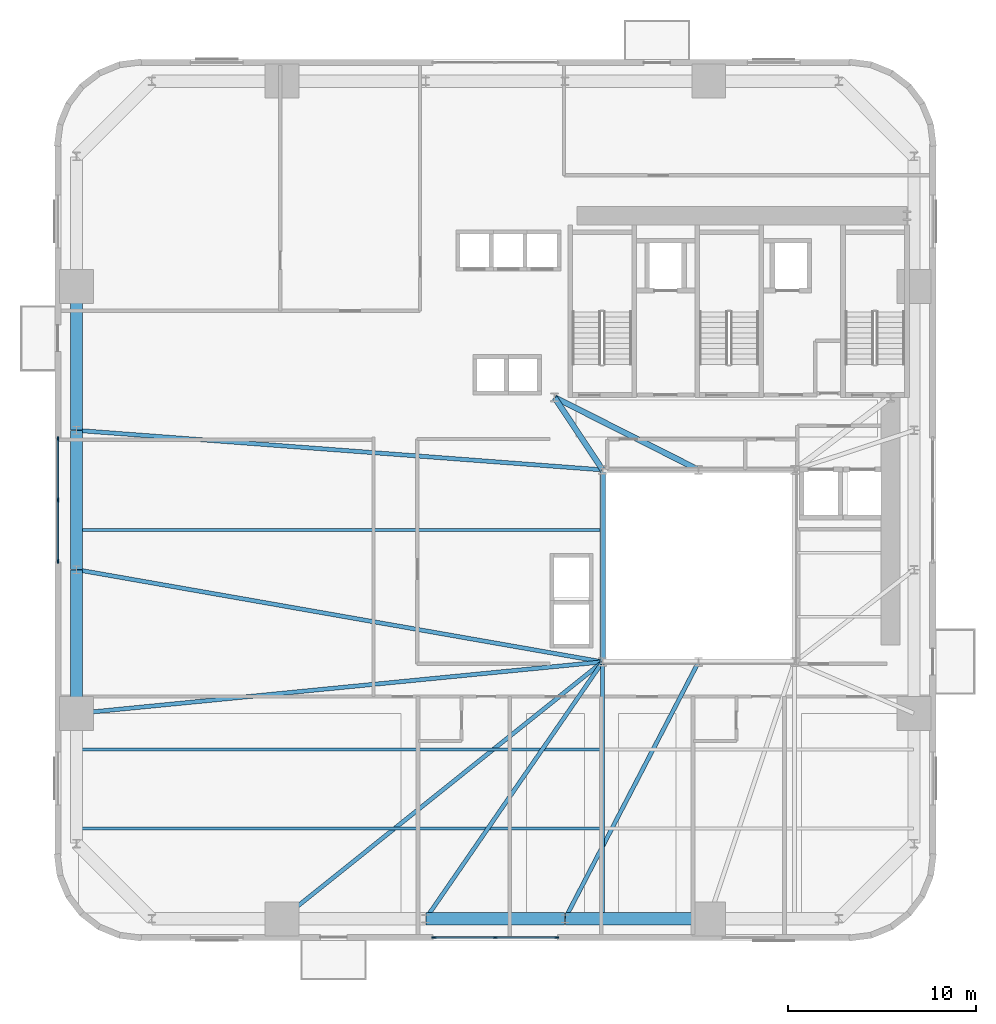
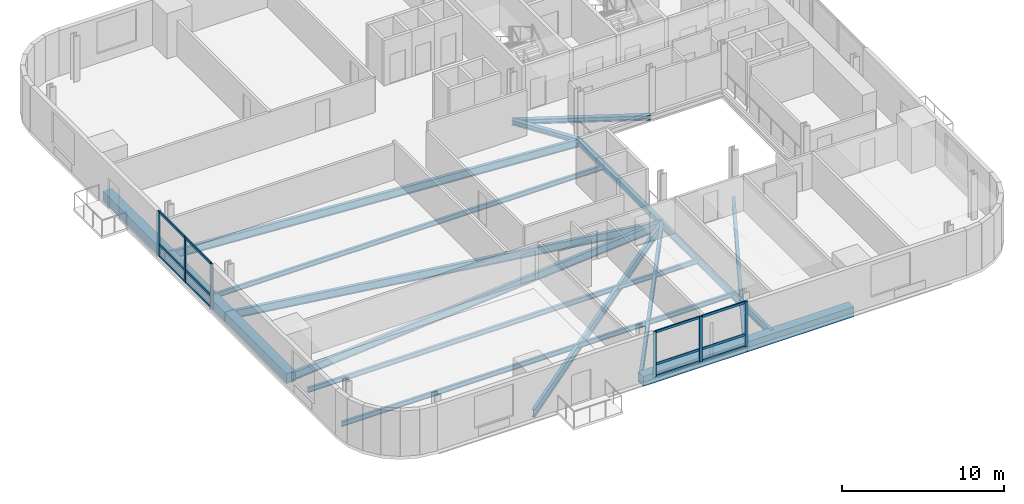
# One storey, part 2 of 13: 18 beams, 18 members, 2 elements without a shape of their own.
"""IFC4 building model written with IfcOpenShell, lengths in metres."""

from ifc_helpers import new_model, si_unit, direction, frame, origin, origin_2d, place, context, subcontext, project, spatial, rectangle, i_section, extrude, source, transform, mapped, material, material_profile, profile_set, type_object, element, aggregate, save


model = new_model("IFC4")

# Units and contexts
model_context = context("Model", 3, precision=1e-05, world=origin(), true_north=direction((0.0, 1.0)))
body_context = subcontext(model_context, "Body", "Model", "MODEL_VIEW")
ifc_project = project(units=[si_unit("LENGTHUNIT", "METRE"), si_unit("AREAUNIT", "SQUARE_METRE"), si_unit("VOLUMEUNIT", "CUBIC_METRE"), si_unit("PLANEANGLEUNIT", "RADIAN"), si_unit("MASSUNIT", "GRAM", prefix="KILO")], contexts=[model_context])

# Site, building, storey
site_placement = place(None, origin())
site = spatial("IfcSite", under=ifc_project, at=site_placement, CompositionType="ELEMENT")
building_placement = place(site_placement, origin())
building = spatial("IfcBuilding", under=site, at=building_placement, Name="Vardaveli Station Tower", CompositionType="ELEMENT")
storey_placement = place(building_placement, frame((0.0, 0.0, 49.5)))
storey = spatial("IfcBuildingStorey", under=building, at=storey_placement, Name="L12", CompositionType="ELEMENT", Elevation=49.5)

# Beams
ifc_material_1 = material(Name="Structural steel S355J2", Category="steel")
ifc_material_profile_1 = material_profile(ifc_material_1, i_section(OverallWidth=0.300048828125, OverallDepth=0.449951171875, WebThickness=0.013916015625, FlangeThickness=0.02587890625, FilletRadius=0.027099609375, at=origin_2d()), Name="HEB 450")
ifc_profile_set_1 = profile_set([ifc_material_profile_1], Name="Structural steel S355J2")
beam_type_1 = type_object("IfcBeamType", Name="BM-HEB450", PredefinedType="BEAM", material=ifc_profile_set_1)
shared_shape_1 = source(origin(), body_context, "Body", "SweptSolid", [
    extrude(i_section(OverallWidth=0.300048828125, OverallDepth=0.449951171875, WebThickness=0.013916015625, FlangeThickness=0.02587890625, FilletRadius=0.027099609375, at=origin_2d()), origin(), (0.0, 0.0, 1.0), 10.159912109375),
])
beam_1_placement = place(storey_placement, frame((31.199951171875, 26.780029296875, -0.465087890625), z_axis=(0.0, -1.0, 0.0), x_axis=(1.0, 0.0, 0.0)))
element("IfcBeam", 1, at=beam_1_placement, inside=storey, type_object=beam_type_1, Name="ABM-L12-06", PredefinedType="BEAM", context=body_context, shape_type="MappedRepresentation", body=[
    mapped(shared_shape_1, transform((0.0, 0.0, 0.0), scale=1.0)),
])
ifc_material_profile_2 = material_profile(ifc_material_1, i_section(OverallWidth=0.300048828125, OverallDepth=0.360107421875, WebThickness=0.012451171875, FlangeThickness=0.0224609375, FilletRadius=0.027099609375, at=origin_2d()), Name="HEB 360")
ifc_profile_set_2 = profile_set([ifc_material_profile_2], Name="Structural steel S355J2")
beam_type_2 = type_object("IfcBeamType", Name="BM-HEB360", PredefinedType="BEAM", material=ifc_profile_set_2)
shared_shape_2 = source(origin(), body_context, "Body", "SweptSolid", [
    extrude(i_section(OverallWidth=0.300048828125, OverallDepth=0.360107421875, WebThickness=0.012451171875, FlangeThickness=0.0224609375, FilletRadius=0.027099609375, at=origin_2d()), origin(), (0.0, 0.0, 1.0), 4.577880859375),
])
beam_2_placement = place(storey_placement, frame((31.18896484375, 26.816650390625, -0.419921875), z_axis=(-0.55218702139, 0.833720272879, 0.0), x_axis=(-0.833720272879, -0.55218702139, 0.0)))
element("IfcBeam", 2, at=beam_2_placement, inside=storey, type_object=beam_type_2, Name="CBM-L12-01", PredefinedType="BEAM", context=body_context, shape_type="MappedRepresentation", body=[
    mapped(shared_shape_2, transform((0.0, 0.0, 0.0), scale=1.0)),
])
shared_shape_3 = source(origin(), body_context, "Body", "SweptSolid", [
    extrude(i_section(OverallWidth=0.300048828125, OverallDepth=0.360107421875, WebThickness=0.012451171875, FlangeThickness=0.0224609375, FilletRadius=0.027099609375, at=origin_2d()), origin(), (0.0, 0.0, 1.0), 8.524169921875),
])
beam_3_placement = place(storey_placement, frame((28.66796875, 30.64111328125, -0.419921875), z_axis=(0.893255584708, -0.449549174605, 0.0), x_axis=(0.449549174605, 0.893255584708, 0.0)))
element("IfcBeam", 3, at=beam_3_placement, inside=storey, type_object=beam_type_2, Name="CBM-L12-03", PredefinedType="BEAM", context=body_context, shape_type="MappedRepresentation", body=[
    mapped(shared_shape_3, transform((0.0, 0.0, 0.0), scale=1.0)),
])
ifc_material_2 = material(Name="Precast concrete C45/55", Category="concrete")
ifc_material_profile_3 = material_profile(ifc_material_2, rectangle(XDim=0.64990234375, YDim=0.75, at=origin_2d()), Name="LPB 650x750")
ifc_profile_set_3 = profile_set([ifc_material_profile_3], Name="Precast concrete C45/55")
beam_type_3 = type_object("IfcBeamType", Name="BM-LPB-750", PredefinedType="BEAM", material=ifc_profile_set_3)
shared_shape_4 = source(origin(), body_context, "Body", "SweptSolid", [
    extrude(rectangle(XDim=0.64990234375, YDim=0.75, at=origin_2d()), origin(), (0.0, 0.0, 1.0), 7.60009765625),
])
for number, where, z_axis, x_axis, name in (
    (4, (29.219970703125, 2.949951171875, -0.614990234375), (1.0, 0.0, 0.0), (0.0, 1.0, 0.0), "RBM-L12-03"),
    (5, (3.25, 36.52001953125, -0.614990234375), (0.0, -1.0, 0.0), (1.0, 0.0, 0.0), "RBM-L12-19"),
    (6, (3.25, 21.47998046875, -0.614990234375), (0.0, -1.0, 0.0), (1.0, 0.0, 0.0), "RBM-L12-21"),
):
    element("IfcBeam", number, at=place(storey_placement, frame(where, z_axis=z_axis, x_axis=x_axis)), inside=storey, type_object=beam_type_3, Name=name, PredefinedType="BEAM", context=body_context, shape_type="MappedRepresentation", body=[
        mapped(shared_shape_4, transform((0.0, 0.0, 0.0), scale=1.0)),
    ])
shared_shape_5 = source(origin(), body_context, "Body", "SweptSolid", [
    extrude(rectangle(XDim=0.64990234375, YDim=0.75, at=origin_2d()), origin(), (0.0, 0.0, 1.0), 7.35986328125),
])
for number, where, z_axis, x_axis, name in (
    (7, (21.820068359375, 2.949951171875, -0.614990234375), (1.0, 0.0, 0.0), (0.0, 1.0, 0.0), "RBM-L12-02"),
    (8, (3.25, 28.8798828125, -0.614990234375), (0.0, -1.0, 0.0), (1.0, 0.0, 0.0), "RBM-L12-20"),
):
    element("IfcBeam", number, at=place(storey_placement, frame(where, z_axis=z_axis, x_axis=x_axis)), inside=storey, type_object=beam_type_3, Name=name, PredefinedType="BEAM", context=body_context, shape_type="MappedRepresentation", body=[
        mapped(shared_shape_5, transform((0.0, 0.0, 0.0), scale=1.0)),
    ])
ifc_material_profile_4 = material_profile(ifc_material_1, i_section(OverallWidth=0.219970703125, OverallDepth=0.60009765625, WebThickness=0.011962890625, FlangeThickness=0.01904296875, FilletRadius=0.02392578125, at=origin_2d()), Name="IPE 600")
ifc_profile_set_4 = profile_set([ifc_material_profile_4], Name="Structural steel S355J2")
beam_type_4 = type_object("IfcBeamType", Name="BM-IPE600", PredefinedType="BEAM", material=ifc_profile_set_4)
shared_shape_6 = source(origin(), body_context, "Body", "SweptSolid", [
    extrude(i_section(OverallWidth=0.219970703125, OverallDepth=0.60009765625, WebThickness=0.011962890625, FlangeThickness=0.01904296875, FilletRadius=0.02392578125, at=origin_2d()), origin(), (0.0, 0.0, 1.0), 21.793212890625),
])
beam_4_placement = place(storey_placement, frame((14.175537109375, 2.96240234375, -0.5400390625), z_axis=(0.780466445023, 0.625197671296, 0.0), x_axis=(-0.625197671296, 0.780466445023, 0.0)))
element("IfcBeam", 9, at=beam_4_placement, inside=storey, type_object=beam_type_4, Name="GBM-L12-01", PredefinedType="BEAM", context=body_context, shape_type="MappedRepresentation", body=[
    mapped(shared_shape_6, transform((0.0, 0.0, 0.0), scale=1.0)),
])
shared_shape_7 = source(origin(), body_context, "Body", "SweptSolid", [
    extrude(i_section(OverallWidth=0.219970703125, OverallDepth=0.60009765625, WebThickness=0.011962890625, FlangeThickness=0.01904296875, FilletRadius=0.02392578125, at=origin_2d()), origin(), (0.0, 0.0, 1.0), 16.533447265625),
])
beam_5_placement = place(storey_placement, frame((21.811279296875, 2.966552734375, -0.5400390625), z_axis=(0.567177272103, 0.823595739431, 0.0), x_axis=(-0.823595739431, 0.567177272103, 0.0)))
element("IfcBeam", 10, at=beam_5_placement, inside=storey, type_object=beam_type_4, Name="GBM-L12-02", PredefinedType="BEAM", context=body_context, shape_type="MappedRepresentation", body=[
    mapped(shared_shape_7, transform((0.0, 0.0, 0.0), scale=1.0)),
])
shared_shape_8 = source(origin(), body_context, "Body", "SweptSolid", [
    extrude(i_section(OverallWidth=0.219970703125, OverallDepth=0.60009765625, WebThickness=0.011962890625, FlangeThickness=0.01904296875, FilletRadius=0.02392578125, at=origin_2d()), origin(), (0.0, 0.0, 1.0), 15.34619140625),
])
beam_6_placement = place(storey_placement, frame((29.209228515625, 2.9677734375, -0.5400390625), z_axis=(0.461455420507, 0.887163398075, 0.0), x_axis=(-0.887163398075, 0.461455420507, 0.0)))
element("IfcBeam", 11, at=beam_6_placement, inside=storey, type_object=beam_type_4, Name="GBM-L12-03", PredefinedType="BEAM", context=body_context, shape_type="MappedRepresentation", body=[
    mapped(shared_shape_8, transform((0.0, 0.0, 0.0), scale=1.0)),
])
shared_shape_9 = source(origin(), body_context, "Body", "SweptSolid", [
    extrude(i_section(OverallWidth=0.219970703125, OverallDepth=0.60009765625, WebThickness=0.011962890625, FlangeThickness=0.01904296875, FilletRadius=0.02392578125, at=origin_2d()), origin(), (0.0, 0.0, 1.0), 27.98876953125),
])
beam_7_placement = place(storey_placement, frame((3.27001953125, 28.8984375, -0.5400390625), z_axis=(0.99718954315, -0.074920057611, 0.0), x_axis=(0.074920057611, 0.99718954315, 0.0)))
element("IfcBeam", 12, at=beam_7_placement, inside=storey, type_object=beam_type_4, Name="GBM-L12-08", PredefinedType="BEAM", context=body_context, shape_type="MappedRepresentation", body=[
    mapped(shared_shape_9, transform((0.0, 0.0, 0.0), scale=1.0)),
])
shared_shape_10 = source(origin(), body_context, "Body", "SweptSolid", [
    extrude(i_section(OverallWidth=0.219970703125, OverallDepth=0.60009765625, WebThickness=0.011962890625, FlangeThickness=0.01904296875, FilletRadius=0.02392578125, at=origin_2d()), origin(), (0.0, 0.0, 1.0), 28.33642578125),
])
beam_8_placement = place(storey_placement, frame((3.269775390625, 21.49658203125, -0.5400390625), z_axis=(0.984978267336, -0.172678350921, 0.0), x_axis=(0.172678350921, 0.984978267336, 0.0)))
element("IfcBeam", 13, at=beam_8_placement, inside=storey, type_object=beam_type_4, Name="GBM-L12-09", PredefinedType="BEAM", context=body_context, shape_type="MappedRepresentation", body=[
    mapped(shared_shape_10, transform((0.0, 0.0, 0.0), scale=1.0)),
])
shared_shape_11 = source(origin(), body_context, "Body", "SweptSolid", [
    extrude(i_section(OverallWidth=0.219970703125, OverallDepth=0.60009765625, WebThickness=0.011962890625, FlangeThickness=0.01904296875, FilletRadius=0.02392578125, at=origin_2d()), origin(), (0.0, 0.0, 1.0), 28.0439453125),
])
beam_9_placement = place(storey_placement, frame((3.27001953125, 13.862060546875, -0.5400390625), z_axis=(0.995229237856, 0.097564153855, 0.0), x_axis=(-0.097564153855, 0.995229237856, 0.0)))
element("IfcBeam", 14, at=beam_9_placement, inside=storey, type_object=beam_type_4, Name="GBM-L12-10", PredefinedType="BEAM", context=body_context, shape_type="MappedRepresentation", body=[
    mapped(shared_shape_11, transform((0.0, 0.0, 0.0), scale=1.0)),
])
ifc_material_profile_5 = material_profile(ifc_material_1, i_section(OverallWidth=0.2099609375, OverallDepth=0.550048828125, WebThickness=0.010986328125, FlangeThickness=0.01708984375, FilletRadius=0.02392578125, at=origin_2d()), Name="IPE 550")
ifc_profile_set_5 = profile_set([ifc_material_profile_5], Name="Structural steel S355J2")
beam_type_5 = type_object("IfcBeamType", Name="BM-IPE550", PredefinedType="BEAM", material=ifc_profile_set_5)
shared_shape_12 = source(origin(), body_context, "Body", "SweptSolid", [
    extrude(i_section(OverallWidth=0.2099609375, OverallDepth=0.550048828125, WebThickness=0.010986328125, FlangeThickness=0.01708984375, FilletRadius=0.02392578125, at=origin_2d()), origin(), (0.0, 0.0, 1.0), 13.469970703125),
])
beam_10_placement = place(storey_placement, frame((31.199951171875, 2.989990234375, -0.514892578125), z_axis=(0.0, 1.0, 0.0), x_axis=(-1.0, 0.0, 0.0)))
element("IfcBeam", 15, at=beam_10_placement, inside=storey, type_object=beam_type_5, Name="NSM-L12-S1", PredefinedType="BEAM", context=body_context, shape_type="MappedRepresentation", body=[
    mapped(shared_shape_12, transform((0.0, 0.0, 0.0), scale=1.0)),
])
ifc_material_profile_6 = material_profile(ifc_material_1, i_section(OverallWidth=0.169921875, OverallDepth=0.360107421875, WebThickness=0.008056640625, FlangeThickness=0.0126953125, FilletRadius=0.01806640625, at=origin_2d()), Name="IPE 360")
ifc_profile_set_6 = profile_set([ifc_material_profile_6], Name="Structural steel S355J2")
beam_type_6 = type_object("IfcBeamType", Name="BM-IPE360", PredefinedType="JOIST", material=ifc_profile_set_6)
shared_shape_13 = source(origin(), body_context, "Body", "SweptSolid", [
    extrude(i_section(OverallWidth=0.169921875, OverallDepth=0.360107421875, WebThickness=0.008056640625, FlangeThickness=0.0126953125, FilletRadius=0.01806640625, at=origin_2d()), origin(), (0.0, 0.0, 1.0), 27.7978515625),
])
for number, where, z_axis, x_axis, name in (
    (16, (3.2900390625, 7.75, -0.419921875), (1.0, 0.0, 0.0), (0.0, 1.0, 0.0), "SJ-L12-S01"),
    (17, (3.2900390625, 11.949951171875, -0.419921875), (1.0, 0.0, 0.0), (0.0, 1.0, 0.0), "SJ-L12-S04"),
    (18, (3.2900390625, 23.60009765625, -0.419921875), (1.0, 0.0, 0.0), (0.0, 1.0, 0.0), "SJ-L12-W08"),
):
    element("IfcBeam", number, at=place(storey_placement, frame(where, z_axis=z_axis, x_axis=x_axis)), inside=storey, type_object=beam_type_6, Name=name, PredefinedType="JOIST", context=body_context, shape_type="MappedRepresentation", body=[
        mapped(shared_shape_13, transform((0.0, 0.0, 0.0), scale=1.0)),
    ])

# Curtain wall, members
ifc_material_3 = material(Name="Travertine stone and solar-control glass", Category="masonry")
curtain_wall_type = type_object("IfcCurtainWallType", Name="CW-SYS-2", PredefinedType="NOTDEFINED", material=ifc_material_3)
curtain_wall_1_placement = place(storey_placement, origin())
curtain_wall_1 = element("IfcCurtainWall", 19, at=curtain_wall_1_placement, inside=storey, type_object=curtain_wall_type, Name="CW-L12-S", PredefinedType="NOTDEFINED")
ifc_material_4 = material(Name="Anodised aluminium alloy 6063-T6", Category="aluminium")
ifc_material_profile_7 = material_profile(ifc_material_4, rectangle(XDim=0.0849609375, YDim=0.219970703125, at=origin_2d()), Name="CWM 85x220")
ifc_profile_set_7 = profile_set([ifc_material_profile_7], Name="Anodised aluminium alloy 6063-T6")
member_type_1 = type_object("IfcMemberType", Name="CW-SYS-2-MULL", PredefinedType="MULLION", material=ifc_profile_set_7)
shared_shape_14 = source(origin(), body_context, "Body", "SweptSolid", [
    extrude(rectangle(XDim=0.0849609375, YDim=0.219970703125, at=origin_2d()), origin(), (0.0, 0.0, 1.0), 3.409912109375),
])
member_1_placement = place(storey_placement, frame((22.242431640625, 1.9599609375, 0.0), z_axis=(0.0, 0.0, 1.0), x_axis=(0.0, 1.0, 0.0)))
member_1 = element("IfcMember", 20, at=member_1_placement, type_object=member_type_1, Name="CW-2 mullion 1", PredefinedType="MULLION", context=body_context, shape_type="MappedRepresentation", body=[
    mapped(shared_shape_14, transform((0.0, 0.0, 0.0), scale=1.0)),
])
member_2_placement = place(storey_placement, frame((25.5, 1.9599609375, 0.0), z_axis=(0.0, 0.0, 1.0), x_axis=(0.0, 1.0, 0.0)))
member_2 = element("IfcMember", 21, at=member_2_placement, type_object=member_type_1, Name="CW-2 mullion 2", PredefinedType="MULLION", context=body_context, shape_type="MappedRepresentation", body=[
    mapped(shared_shape_14, transform((0.0, 0.0, 0.0), scale=1.0)),
])
member_3_placement = place(storey_placement, frame((28.757568359375, 1.9599609375, 0.0), z_axis=(0.0, 0.0, 1.0), x_axis=(0.0, 1.0, 0.0)))
member_3 = element("IfcMember", 22, at=member_3_placement, type_object=member_type_1, Name="CW-2 mullion 3", PredefinedType="MULLION", context=body_context, shape_type="MappedRepresentation", body=[
    mapped(shared_shape_14, transform((0.0, 0.0, 0.0), scale=1.0)),
])

curtain_wall_2_placement = place(storey_placement, origin())
curtain_wall_2 = element("IfcCurtainWall", 23, at=curtain_wall_2_placement, inside=storey, type_object=curtain_wall_type, Name="CW-L12-W", PredefinedType="NOTDEFINED")
member_4_placement = place(storey_placement, frame((2.260009765625, 28.45751953125, 0.0), z_axis=(0.0, 0.0, 1.0), x_axis=(1.0, 0.0, 0.0)))
member_4 = element("IfcMember", 24, at=member_4_placement, type_object=member_type_1, Name="CW-2 mullion 1", PredefinedType="MULLION", context=body_context, shape_type="MappedRepresentation", body=[
    mapped(shared_shape_14, transform((0.0, 0.0, 0.0), scale=1.0)),
])
member_5_placement = place(storey_placement, frame((2.260009765625, 25.199951171875, 0.0), z_axis=(0.0, 0.0, 1.0), x_axis=(1.0, 0.0, 0.0)))
member_5 = element("IfcMember", 25, at=member_5_placement, type_object=member_type_1, Name="CW-2 mullion 2", PredefinedType="MULLION", context=body_context, shape_type="MappedRepresentation", body=[
    mapped(shared_shape_14, transform((0.0, 0.0, 0.0), scale=1.0)),
])
member_6_placement = place(storey_placement, frame((2.260009765625, 21.9423828125, 0.0), z_axis=(0.0, 0.0, 1.0), x_axis=(1.0, 0.0, 0.0)))
member_6 = element("IfcMember", 26, at=member_6_placement, type_object=member_type_1, Name="CW-2 mullion 3", PredefinedType="MULLION", context=body_context, shape_type="MappedRepresentation", body=[
    mapped(shared_shape_14, transform((0.0, 0.0, 0.0), scale=1.0)),
])

# Member
ifc_material_profile_8 = material_profile(ifc_material_4, rectangle(XDim=0.0849609375, YDim=0.179931640625, at=origin_2d()), Name="CWT 85x180")
ifc_profile_set_8 = profile_set([ifc_material_profile_8], Name="Anodised aluminium alloy 6063-T6")
member_type_2 = type_object("IfcMemberType", Name="CW-SYS-2-TRAN", PredefinedType="NOTDEFINED", material=ifc_profile_set_8)
shared_shape_15 = source(origin(), body_context, "Body", "SweptSolid", [
    extrude(rectangle(XDim=0.0849609375, YDim=0.179931640625, at=origin_2d()), origin(), (0.0, 0.0, 1.0), 3.172607421875),
])
member_7_placement = place(storey_placement, frame((22.284912109375, 1.9599609375, 0.04248046875), z_axis=(1.0, 0.0, 0.0), x_axis=(0.0, 1.0, 0.0)))
member_7 = element("IfcMember", 27, at=member_7_placement, type_object=member_type_2, Name="CW-2 transom 1.1", ObjectType="TRANSOM", PredefinedType="USERDEFINED", context=body_context, shape_type="MappedRepresentation", body=[
    mapped(shared_shape_15, transform((0.0, 0.0, 0.0), scale=1.0)),
])

member_8_placement = place(storey_placement, frame((22.284912109375, 1.9599609375, 0.949951171875), z_axis=(1.0, 0.0, 0.0), x_axis=(0.0, 1.0, 0.0)))
member_8 = element("IfcMember", 28, at=member_8_placement, type_object=member_type_2, Name="CW-2 transom 1.2", ObjectType="TRANSOM", PredefinedType="USERDEFINED", context=body_context, shape_type="MappedRepresentation", body=[
    mapped(shared_shape_15, transform((0.0, 0.0, 0.0), scale=1.0)),
])

member_9_placement = place(storey_placement, frame((22.284912109375, 1.9599609375, 3.367431640625), z_axis=(1.0, 0.0, 0.0), x_axis=(0.0, 1.0, 0.0)))
member_9 = element("IfcMember", 29, at=member_9_placement, type_object=member_type_2, Name="CW-2 transom 1.3", ObjectType="TRANSOM", PredefinedType="USERDEFINED", context=body_context, shape_type="MappedRepresentation", body=[
    mapped(shared_shape_15, transform((0.0, 0.0, 0.0), scale=1.0)),
])

member_10_placement = place(storey_placement, frame((25.54248046875, 1.9599609375, 0.04248046875), z_axis=(1.0, 0.0, 0.0), x_axis=(0.0, 1.0, 0.0)))
member_10 = element("IfcMember", 30, at=member_10_placement, type_object=member_type_2, Name="CW-2 transom 2.1", ObjectType="TRANSOM", PredefinedType="USERDEFINED", context=body_context, shape_type="MappedRepresentation", body=[
    mapped(shared_shape_15, transform((0.0, 0.0, 0.0), scale=1.0)),
])

member_11_placement = place(storey_placement, frame((25.54248046875, 1.9599609375, 0.949951171875), z_axis=(1.0, 0.0, 0.0), x_axis=(0.0, 1.0, 0.0)))
member_11 = element("IfcMember", 31, at=member_11_placement, type_object=member_type_2, Name="CW-2 transom 2.2", ObjectType="TRANSOM", PredefinedType="USERDEFINED", context=body_context, shape_type="MappedRepresentation", body=[
    mapped(shared_shape_15, transform((0.0, 0.0, 0.0), scale=1.0)),
])

member_12_placement = place(storey_placement, frame((25.54248046875, 1.9599609375, 3.367431640625), z_axis=(1.0, 0.0, 0.0), x_axis=(0.0, 1.0, 0.0)))
member_12 = element("IfcMember", 32, at=member_12_placement, type_object=member_type_2, Name="CW-2 transom 2.3", ObjectType="TRANSOM", PredefinedType="USERDEFINED", context=body_context, shape_type="MappedRepresentation", body=[
    mapped(shared_shape_15, transform((0.0, 0.0, 0.0), scale=1.0)),
])

aggregate(curtain_wall_1, [member_1, member_2, member_3, member_7, member_8, member_9, member_10, member_11, member_12])

member_13_placement = place(storey_placement, frame((2.260009765625, 28.4150390625, 0.04248046875), z_axis=(0.0, -1.0, 0.0), x_axis=(1.0, 0.0, 0.0)))
member_13 = element("IfcMember", 33, at=member_13_placement, type_object=member_type_2, Name="CW-2 transom 1.1", ObjectType="TRANSOM", PredefinedType="USERDEFINED", context=body_context, shape_type="MappedRepresentation", body=[
    mapped(shared_shape_15, transform((0.0, 0.0, 0.0), scale=1.0)),
])

member_14_placement = place(storey_placement, frame((2.260009765625, 28.4150390625, 0.949951171875), z_axis=(0.0, -1.0, 0.0), x_axis=(1.0, 0.0, 0.0)))
member_14 = element("IfcMember", 34, at=member_14_placement, type_object=member_type_2, Name="CW-2 transom 1.2", ObjectType="TRANSOM", PredefinedType="USERDEFINED", context=body_context, shape_type="MappedRepresentation", body=[
    mapped(shared_shape_15, transform((0.0, 0.0, 0.0), scale=1.0)),
])

member_15_placement = place(storey_placement, frame((2.260009765625, 28.4150390625, 3.367431640625), z_axis=(0.0, -1.0, 0.0), x_axis=(1.0, 0.0, 0.0)))
member_15 = element("IfcMember", 35, at=member_15_placement, type_object=member_type_2, Name="CW-2 transom 1.3", ObjectType="TRANSOM", PredefinedType="USERDEFINED", context=body_context, shape_type="MappedRepresentation", body=[
    mapped(shared_shape_15, transform((0.0, 0.0, 0.0), scale=1.0)),
])

shared_shape_16 = source(origin(), body_context, "Body", "SweptSolid", [
    extrude(rectangle(XDim=0.0849609375, YDim=0.179931640625, at=origin_2d()), origin(), (0.0, 0.0, 1.0), 3.17236328125),
])
member_16_placement = place(storey_placement, frame((2.260009765625, 25.157470703125, 0.04248046875), z_axis=(0.0, -1.0, 0.0), x_axis=(1.0, 0.0, 0.0)))
member_16 = element("IfcMember", 36, at=member_16_placement, type_object=member_type_2, Name="CW-2 transom 2.1", ObjectType="TRANSOM", PredefinedType="USERDEFINED", context=body_context, shape_type="MappedRepresentation", body=[
    mapped(shared_shape_16, transform((0.0, 0.0, 0.0), scale=1.0)),
])

member_17_placement = place(storey_placement, frame((2.260009765625, 25.157470703125, 0.949951171875), z_axis=(0.0, -1.0, 0.0), x_axis=(1.0, 0.0, 0.0)))
member_17 = element("IfcMember", 37, at=member_17_placement, type_object=member_type_2, Name="CW-2 transom 2.2", ObjectType="TRANSOM", PredefinedType="USERDEFINED", context=body_context, shape_type="MappedRepresentation", body=[
    mapped(shared_shape_16, transform((0.0, 0.0, 0.0), scale=1.0)),
])

member_18_placement = place(storey_placement, frame((2.260009765625, 25.157470703125, 3.367431640625), z_axis=(0.0, -1.0, 0.0), x_axis=(1.0, 0.0, 0.0)))
member_18 = element("IfcMember", 38, at=member_18_placement, type_object=member_type_2, Name="CW-2 transom 2.3", ObjectType="TRANSOM", PredefinedType="USERDEFINED", context=body_context, shape_type="MappedRepresentation", body=[
    mapped(shared_shape_16, transform((0.0, 0.0, 0.0), scale=1.0)),
])

aggregate(curtain_wall_2, [member_4, member_5, member_6, member_13, member_14, member_15, member_16, member_17, member_18])

save(model, "model.ifc")
